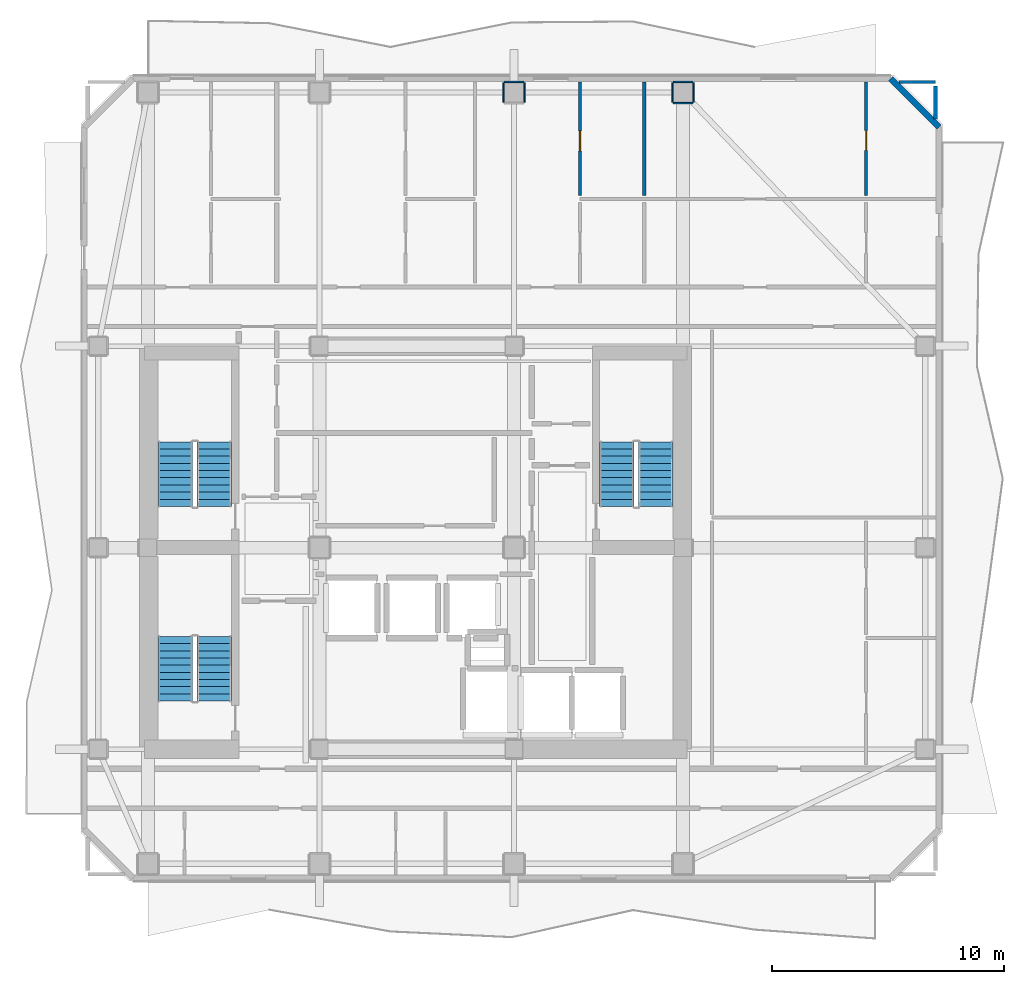
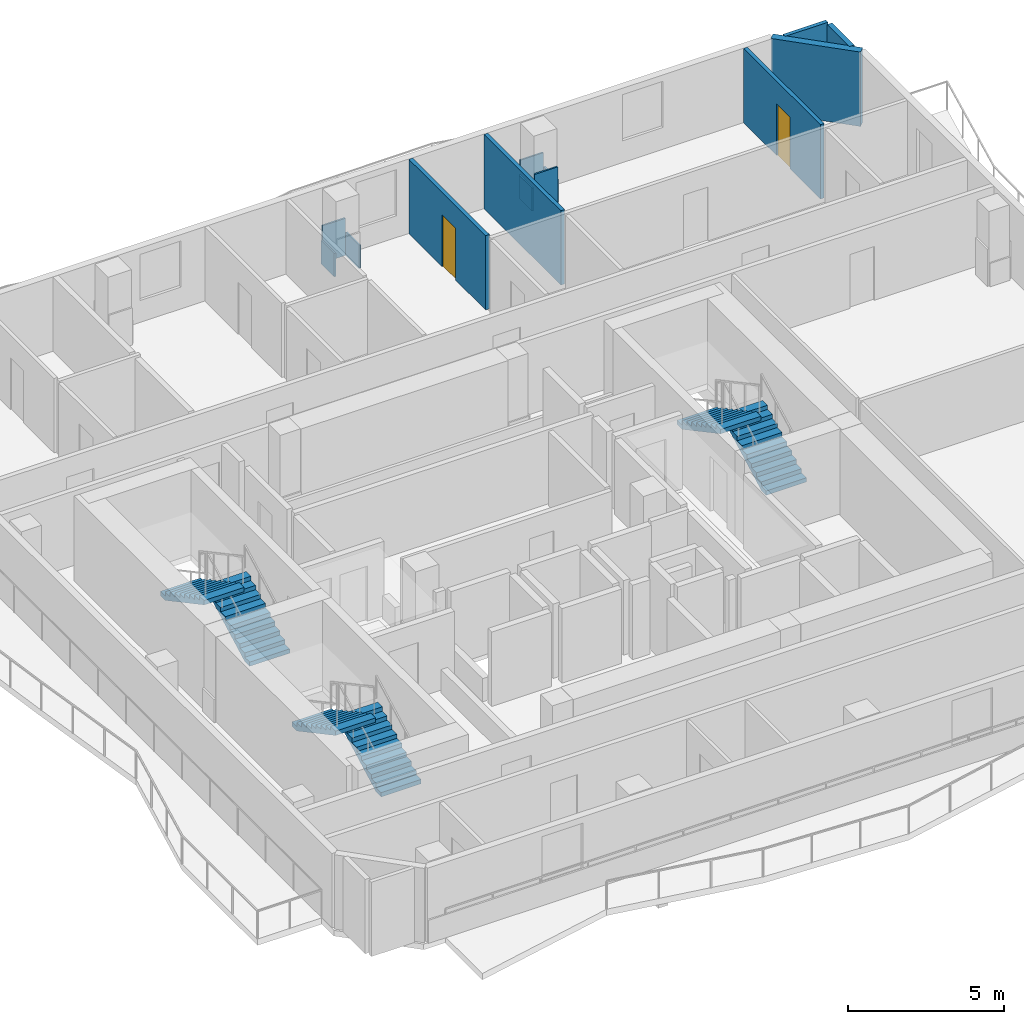
# One storey, part 6 of 9: 13 walls, 6 stair flights, 2 doors, 2 openings, 3 elements without a shape of their own.
"""IFC4 building model written with IfcOpenShell, lengths in metres."""

from ifc_helpers import new_model, si_unit, direction, frame, frame_2d, origin, place, context, subcontext, project, spatial, polyline, rectangle, outline, extrude, material, layer, layer_set, type_object, element, fill, aggregate, save


model = new_model("IFC4")

# Units and contexts
model_context = context("Model", 3, precision=1e-05, world=origin(), true_north=direction((0.0, 1.0)))
body_context = subcontext(model_context, "Body", "Model", "MODEL_VIEW")
ifc_project = project(units=[si_unit("LENGTHUNIT", "METRE"), si_unit("AREAUNIT", "SQUARE_METRE"), si_unit("VOLUMEUNIT", "CUBIC_METRE"), si_unit("PLANEANGLEUNIT", "RADIAN"), si_unit("MASSUNIT", "GRAM", prefix="KILO")], contexts=[model_context])

# Site, building, storey
site_placement = place(None, origin())
site = spatial("IfcSite", under=ifc_project, at=site_placement, CompositionType="ELEMENT")
building_placement = place(site_placement, origin())
building = spatial("IfcBuilding", under=site, at=building_placement, Name="Solanera Arch Residences", CompositionType="ELEMENT")
storey_placement = place(building_placement, frame((0.0, 0.0, 247.8798828125)))
storey = spatial("IfcBuildingStorey", under=building, at=storey_placement, Name="L72", CompositionType="ELEMENT", Elevation=247.8798828125)

# Walls
ifc_material_1 = material(Name="Fire-Rated Gypsum Stud Partition", Category="gypsum")
ifc_layer_1 = layer(ifc_material_1, 0.06005859375)
ifc_layer_set_1 = layer_set([ifc_layer_1], Name="Fire-Rated Gypsum Stud Partition")
wall_type_1 = type_object("IfcWallType", Name="Column Acoustic Furring Wall 60", PredefinedType="PARTITIONING", material=ifc_layer_set_1)
wall_1_placement = place(storey_placement, frame((28.77490234375, 50.806884765625, 0.0), z_axis=(0.0, 0.0, 1.0), x_axis=(1.0, 0.0, 0.0)))
element("IfcWall", 1, at=wall_1_placement, inside=storey, type_object=wall_type_1, Name="L72 Column Furring 14N", PredefinedType="PARTITIONING", context=body_context, shape_type="SweptSolid", body=[
    extrude(rectangle(XDim=0.85009765625, YDim=0.06005859375, at=frame_2d((0.425048828125, 0.0))), origin(), (0.0, 0.0, 1.0), 1.4501953125),
])
for number, where, z_axis, x_axis, name in (
    (2, (28.742919921875, 49.925048828125, 0.0), (0.0, 0.0, 1.0), (0.0, 1.0, 0.0), "L72 Column Furring 14W"),
    (3, (29.656982421875, 49.925048828125, 0.0), (0.0, 0.0, 1.0), (0.0, 1.0, 0.0), "L72 Column Furring 14E"),
):
    element("IfcWall", number, at=place(storey_placement, frame(where, z_axis=z_axis, x_axis=x_axis)), inside=storey, type_object=wall_type_1, Name=name, PredefinedType="PARTITIONING", context=body_context, shape_type="SweptSolid", body=[
        extrude(rectangle(XDim=0.849853515625, YDim=0.06005859375, at=frame_2d((0.4248046875, 0.0))), origin(), (0.0, 0.0, 1.0), 0.905029296875),
    ])
for number, where, z_axis, x_axis, name in (
    (4, (36.074951171875, 49.89306640625, 0.0), (0.0, 0.0, 1.0), (1.0, 0.0, 0.0), "L72 Column Furring 16S"),
    (5, (36.074951171875, 50.806884765625, 0.0), (0.0, 0.0, 1.0), (1.0, 0.0, 0.0), "L72 Column Furring 16N"),
):
    element("IfcWall", number, at=place(storey_placement, frame(where, z_axis=z_axis, x_axis=x_axis)), inside=storey, type_object=wall_type_1, Name=name, PredefinedType="PARTITIONING", context=body_context, shape_type="SweptSolid", body=[
        extrude(rectangle(XDim=0.85009765625, YDim=0.06005859375, at=frame_2d((0.425048828125, 0.0))), origin(), (0.0, 0.0, 1.0), 1.4501953125),
    ])
for number, where, z_axis, x_axis, name in (
    (6, (36.04296875, 49.925048828125, 0.0), (0.0, 0.0, 1.0), (0.0, 1.0, 0.0), "L72 Column Furring 16W"),
    (7, (36.95703125, 49.925048828125, 0.0), (0.0, 0.0, 1.0), (0.0, 1.0, 0.0), "L72 Column Furring 16E"),
):
    element("IfcWall", number, at=place(storey_placement, frame(where, z_axis=z_axis, x_axis=x_axis)), inside=storey, type_object=wall_type_1, Name=name, PredefinedType="PARTITIONING", context=body_context, shape_type="SweptSolid", body=[
        extrude(rectangle(XDim=0.849853515625, YDim=0.06005859375, at=frame_2d((0.4248046875, 0.0))), origin(), (0.0, 0.0, 1.0), 0.905029296875),
    ])
ifc_material_2 = material(Name="Autoclaved Aerated Concrete Blockwork", Category="masonry")
ifc_layer_2 = layer(ifc_material_2, 0.179931640625)
ifc_layer_set_2 = layer_set([ifc_layer_2], Name="Autoclaved Aerated Concrete Blockwork")
wall_type_2 = type_object("IfcWallType", Name="Corridor Fire Partition 180", PredefinedType="PARTITIONING", material=ifc_layer_set_2)
wall_2_placement = place(storey_placement, frame((47.39990234375, 49.2109375, 0.0), z_axis=(0.0, 0.0, 1.0), x_axis=(0.0, 1.0, 0.0)))
element("IfcWall", 8, at=wall_2_placement, inside=storey, type_object=wall_type_2, Name="L72 Interior Partition V11 2", PredefinedType="PARTITIONING", context=body_context, shape_type="SweptSolid", body=[
    extrude(rectangle(XDim=1.421142578125, YDim=0.179931640625, at=frame_2d((0.71044921875, 0.0))), origin(), (0.0, 0.0, 1.0), 2.900146484375),
])
ifc_material_3 = material(Name="Precast Concrete C35/45", Category="concrete")
ifc_layer_3 = layer(ifc_material_3, 0.260009765625)
ifc_layer_set_3 = layer_set([ifc_layer_3], Name="Precast Concrete C35/45")
wall_type_3 = type_object("IfcWallType", Name="Exterior Wall Precast Masonry-Frame 260", PredefinedType="STANDARD", material=ifc_layer_set_3)
wall_3_placement = place(storey_placement, frame((45.455078125, 50.955078125, 0.0), z_axis=(0.0, 0.0, 1.0), x_axis=(0.707065676302, -0.707147883682, 0.0)))
element("IfcWall", 9, at=wall_3_placement, inside=storey, type_object=wall_type_3, Name="L72 Tower Exterior Precast Masonry-Frame Wall CH3", PredefinedType="STANDARD", context=body_context, shape_type="SweptSolid", body=[
    extrude(rectangle(XDim=2.9697265625, YDim=0.260009765625, at=frame_2d((1.48486328125, 0.0))), origin(), (0.0, 0.0, 1.0), 2.900146484375),
])
ifc_material_4 = material(Name="Autoclaved Aerated Concrete Blockwork", Category="masonry")
ifc_layer_4 = layer(ifc_material_4, 0.139892578125)
ifc_layer_set_4 = layer_set([ifc_layer_4], Name="Autoclaved Aerated Concrete Blockwork")
wall_type_4 = type_object("IfcWallType", Name="Wet-Room Partition 140", PredefinedType="PARTITIONING", material=ifc_layer_set_4)
wall_4_placement = place(storey_placement, frame((45.81103515625, 50.800048828125, 0.0), z_axis=(0.0, 0.0, 1.0), x_axis=(1.0, 0.0, 0.0)))
element("IfcWall", 10, at=wall_4_placement, inside=storey, type_object=wall_type_4, Name="L72 Interior Partition H19 2", PredefinedType="PARTITIONING", context=body_context, shape_type="SweptSolid", body=[
    extrude(rectangle(XDim=1.5888671875, YDim=0.139892578125, at=frame_2d((0.79443359375, 0.0))), origin(), (0.0, 0.0, 1.0), 2.900146484375),
])

# Wall, opening, door
wall_5_placement = place(storey_placement, frame((32.0458984375, 45.904052734375, 0.0), z_axis=(0.0, 0.0, 1.0), x_axis=(0.0, 1.0, 0.0)))
wall_5 = element("IfcWall", 11, at=wall_5_placement, inside=storey, type_object=wall_type_4, Name="L72 Interior Partition V16 2", PredefinedType="PARTITIONING", context=body_context, shape_type="SweptSolid", body=[
    extrude(rectangle(XDim=4.908935546875, YDim=0.139892578125, at=frame_2d((2.45458984375, 0.0))), origin(), (0.0, 0.0, 1.0), 2.900146484375),
])
opening_1_placement = place(wall_5_placement, frame((1.930908203125, 0.0, 0.0)))
opening_1 = element("IfcOpeningElement", 12, at=opening_1_placement, cuts=wall_5, Name="Opening DI-05", PredefinedType="OPENING", context=body_context, shape_type="SweptSolid", body=[
    extrude(rectangle(XDim=0.860107421875, YDim=2.02001953125, at=frame_2d((0.43017578125, 1.010009765625))), frame((0.0, 0.079833984375, 0.0), z_axis=(0.0, -1.0, 0.0), x_axis=(1.0, 0.0, 0.0)), (0.0, 0.0, 1.0), 0.1599),
])
ifc_material_5 = material(Name="Fire-Rated Architectural Hardwood", Category="wood")
door_type = type_object("IfcDoorType", Name="Bathroom Swing Door DI-05", OperationType="NOTDEFINED", PredefinedType="DOOR", material=ifc_material_5)
door_1_placement = place(opening_1_placement, origin())
door_1 = element("IfcDoor", 13, at=door_1_placement, inside=storey, type_object=door_type, Name="DR-L72-IN-026", OperationType="SINGLE_SWING_RIGHT", OverallHeight=2.02001953125, OverallWidth=0.860107421875, PredefinedType="DOOR", context=body_context, shape_type="SweptSolid", body=[
    extrude(rectangle(XDim=0.860107421875, YDim=2.02001953125, at=frame_2d((0.43017578125, 1.010009765625))), frame((0.0, 0.02490234375, 0.0), z_axis=(0.0, -1.0, 0.0), x_axis=(1.0, 0.0, 0.0)), (0.0, 0.0, 1.0), 0.050048828125),
])
fill(opening_1, door_1)

# Wall
wall_6_placement = place(storey_placement, frame((34.820068359375, 45.904052734375, 0.0), z_axis=(0.0, 0.0, 1.0), x_axis=(0.0, 1.0, 0.0)))
element("IfcWall", 14, at=wall_6_placement, inside=storey, type_object=wall_type_4, Name="L72 Interior Partition V17 2", PredefinedType="PARTITIONING", context=body_context, shape_type="SweptSolid", body=[
    extrude(rectangle(XDim=4.908935546875, YDim=0.139892578125, at=frame_2d((2.45458984375, 0.0))), origin(), (0.0, 0.0, 1.0), 2.900146484375),
])

# Wall, opening, door
wall_7_placement = place(storey_placement, frame((44.39990234375, 45.904052734375, 0.0), z_axis=(0.0, 0.0, 1.0), x_axis=(0.0, 1.0, 0.0)))
wall_7 = element("IfcWall", 15, at=wall_7_placement, inside=storey, type_object=wall_type_4, Name="L72 Interior Partition V19 2", PredefinedType="PARTITIONING", context=body_context, shape_type="SweptSolid", body=[
    extrude(rectangle(XDim=4.908935546875, YDim=0.139892578125, at=frame_2d((2.45458984375, 0.0))), origin(), (0.0, 0.0, 1.0), 2.900146484375),
])
opening_2_placement = place(wall_7_placement, frame((1.944091796875, 0.0, 0.0)))
opening_2 = element("IfcOpeningElement", 16, at=opening_2_placement, cuts=wall_7, Name="Opening DI-05", PredefinedType="OPENING", context=body_context, shape_type="SweptSolid", body=[
    extrude(rectangle(XDim=0.860107421875, YDim=2.02001953125, at=frame_2d((0.43017578125, 1.010009765625))), frame((0.0, 0.079833984375, 0.0), z_axis=(0.0, -1.0, 0.0), x_axis=(1.0, 0.0, 0.0)), (0.0, 0.0, 1.0), 0.1599),
])
door_2_placement = place(opening_2_placement, origin())
door_2 = element("IfcDoor", 17, at=door_2_placement, inside=storey, type_object=door_type, Name="DR-L72-IN-030", OperationType="SINGLE_SWING_RIGHT", OverallHeight=2.02001953125, OverallWidth=0.860107421875, PredefinedType="DOOR", context=body_context, shape_type="SweptSolid", body=[
    extrude(rectangle(XDim=0.860107421875, YDim=2.02001953125, at=frame_2d((0.43017578125, 1.010009765625))), frame((0.0, 0.02490234375, 0.0), z_axis=(0.0, -1.0, 0.0), x_axis=(1.0, 0.0, 0.0)), (0.0, 0.0, 1.0), 0.050048828125),
])
fill(opening_2, door_2)

# Stair, stair flights
ifc_material_6 = material(Name="Concrete C40/50 (f'c = 45 MPa)", Category="concrete")
stair_type = type_object("IfcStairType", Name="Tower Dogleg Exit Stair 1480", PredefinedType="HALF_TURN_STAIR", material=ifc_material_6)
stair_1_placement = place(storey_placement, origin())
stair_1 = element("IfcStair", 18, at=stair_1_placement, inside=storey, type_object=stair_type, Name="L72 Tower Core Exit Stair 1", PredefinedType="HALF_TURN_STAIR")
ifc_material_7 = material(Name="Concrete C40/50 (f'c = 45 MPa)", Category="concrete")
stair_flight_type = type_object("IfcStairFlightType", Name="Tower Precast Stair Flight 1480", PredefinedType="STRAIGHT", material=ifc_material_7)
stair_flight_1_placement = place(storey_placement, frame((16.260009765625, 32.47998046875, 0.0), z_axis=(0.0, 0.0, 1.0), x_axis=(0.0, 1.0, 0.0)))
stair_flight_1 = element("IfcStairFlight", 19, at=stair_flight_1_placement, type_object=stair_flight_type, Name="ST-T1 flight 1", NumberOfRisers=10, NumberOfTreads=9, PredefinedType="STRAIGHT", RiserHeight=0.166, TreadLength=0.31, context=body_context, shape_type="SweptSolid", body=[
    extrude(outline(polyline([(0.0, 0.0), (0.0, 0.166015625), (0.31005859375, 0.166015625), (0.31005859375, 0.33203125), (0.6201171875, 0.33203125), (0.6201171875, 0.498046875), (0.929931640625, 0.498046875), (0.929931640625, 0.6640625), (1.239990234375, 0.6640625), (1.239990234375, 0.830078125), (1.550048828125, 0.830078125), (1.550048828125, 0.99609375), (1.860107421875, 0.99609375), (1.860107421875, 1.162109375), (2.169921875, 1.162109375), (2.169921875, 1.327880859375), (2.47998046875, 1.327880859375), (2.47998046875, 1.493896484375), (2.7900390625, 1.493896484375), (2.7900390625, 1.659912109375), (2.7900390625, 1.323974609375), (0.317626953125, 0.0), (0.0, 0.0)])), frame((0.0, 0.739990234375, 0.0), z_axis=(0.0, -1.0, 0.0), x_axis=(1.0, 0.0, 0.0)), (0.0, 0.0, 1.0), 1.47998046875),
])
stair_flight_2_placement = place(storey_placement, frame((14.580078125, 35.27001953125, 1.66015625), z_axis=(0.0, 0.0, 1.0), x_axis=(0.0, -1.0, 0.0)))
stair_flight_2 = element("IfcStairFlight", 20, at=stair_flight_2_placement, type_object=stair_flight_type, Name="ST-T1 flight 2", NumberOfRisers=10, NumberOfTreads=9, PredefinedType="STRAIGHT", RiserHeight=0.166, TreadLength=0.31, context=body_context, shape_type="SweptSolid", body=[
    extrude(outline(polyline([(0.0, 0.0), (0.0, 0.166015625), (0.31005859375, 0.166015625), (0.31005859375, 0.33203125), (0.6201171875, 0.33203125), (0.6201171875, 0.498046875), (0.929931640625, 0.498046875), (0.929931640625, 0.6640625), (1.239990234375, 0.6640625), (1.239990234375, 0.830078125), (1.550048828125, 0.830078125), (1.550048828125, 0.99609375), (1.860107421875, 0.99609375), (1.860107421875, 1.162109375), (2.169921875, 1.162109375), (2.169921875, 1.327880859375), (2.47998046875, 1.327880859375), (2.47998046875, 1.493896484375), (2.7900390625, 1.493896484375), (2.7900390625, 1.659912109375), (2.7900390625, 1.323974609375), (0.317626953125, 0.0), (0.0, 0.0)])), frame((0.0, 0.739990234375, 0.0), z_axis=(0.0, -1.0, 0.0), x_axis=(1.0, 0.0, 0.0)), (0.0, 0.0, 1.0), 1.47998046875),
])
aggregate(stair_1, [stair_flight_1, stair_flight_2])

stair_2_placement = place(storey_placement, origin())
stair_2 = element("IfcStair", 21, at=stair_2_placement, inside=storey, type_object=stair_type, Name="L72 Tower Core Exit Stair 2", PredefinedType="HALF_TURN_STAIR")
stair_flight_3_placement = place(storey_placement, frame((35.320068359375, 32.47998046875, 0.0), z_axis=(0.0, 0.0, 1.0), x_axis=(0.0, 1.0, 0.0)))
stair_flight_3 = element("IfcStairFlight", 22, at=stair_flight_3_placement, type_object=stair_flight_type, Name="ST-T2 flight 1", NumberOfRisers=10, NumberOfTreads=9, PredefinedType="STRAIGHT", RiserHeight=0.166, TreadLength=0.31, context=body_context, shape_type="SweptSolid", body=[
    extrude(outline(polyline([(0.0, 0.0), (0.0, 0.166015625), (0.31005859375, 0.166015625), (0.31005859375, 0.33203125), (0.6201171875, 0.33203125), (0.6201171875, 0.498046875), (0.929931640625, 0.498046875), (0.929931640625, 0.6640625), (1.239990234375, 0.6640625), (1.239990234375, 0.830078125), (1.550048828125, 0.830078125), (1.550048828125, 0.99609375), (1.860107421875, 0.99609375), (1.860107421875, 1.162109375), (2.169921875, 1.162109375), (2.169921875, 1.327880859375), (2.47998046875, 1.327880859375), (2.47998046875, 1.493896484375), (2.7900390625, 1.493896484375), (2.7900390625, 1.659912109375), (2.7900390625, 1.323974609375), (0.317626953125, 0.0), (0.0, 0.0)])), frame((0.0, 0.739990234375, 0.0), z_axis=(0.0, -1.0, 0.0), x_axis=(1.0, 0.0, 0.0)), (0.0, 0.0, 1.0), 1.47998046875),
])
stair_flight_4_placement = place(storey_placement, frame((33.639892578125, 35.27001953125, 1.66015625), z_axis=(0.0, 0.0, 1.0), x_axis=(0.0, -1.0, 0.0)))
stair_flight_4 = element("IfcStairFlight", 23, at=stair_flight_4_placement, type_object=stair_flight_type, Name="ST-T2 flight 2", NumberOfRisers=10, NumberOfTreads=9, PredefinedType="STRAIGHT", RiserHeight=0.166, TreadLength=0.31, context=body_context, shape_type="SweptSolid", body=[
    extrude(outline(polyline([(0.0, 0.0), (0.0, 0.166015625), (0.31005859375, 0.166015625), (0.31005859375, 0.33203125), (0.6201171875, 0.33203125), (0.6201171875, 0.498046875), (0.929931640625, 0.498046875), (0.929931640625, 0.6640625), (1.239990234375, 0.6640625), (1.239990234375, 0.830078125), (1.550048828125, 0.830078125), (1.550048828125, 0.99609375), (1.860107421875, 0.99609375), (1.860107421875, 1.162109375), (2.169921875, 1.162109375), (2.169921875, 1.327880859375), (2.47998046875, 1.327880859375), (2.47998046875, 1.493896484375), (2.7900390625, 1.493896484375), (2.7900390625, 1.659912109375), (2.7900390625, 1.323974609375), (0.317626953125, 0.0), (0.0, 0.0)])), frame((0.0, 0.739990234375, 0.0), z_axis=(0.0, -1.0, 0.0), x_axis=(1.0, 0.0, 0.0)), (0.0, 0.0, 1.0), 1.47998046875),
])
aggregate(stair_2, [stair_flight_3, stair_flight_4])

stair_3_placement = place(storey_placement, origin())
stair_3 = element("IfcStair", 24, at=stair_3_placement, inside=storey, type_object=stair_type, Name="L72 Tower Core Exit Stair 3", PredefinedType="HALF_TURN_STAIR")
stair_flight_5_placement = place(storey_placement, frame((16.260009765625, 24.080078125, 0.0), z_axis=(0.0, 0.0, 1.0), x_axis=(0.0, 1.0, 0.0)))
stair_flight_5 = element("IfcStairFlight", 25, at=stair_flight_5_placement, type_object=stair_flight_type, Name="ST-T3 flight 1", NumberOfRisers=10, NumberOfTreads=9, PredefinedType="STRAIGHT", RiserHeight=0.166, TreadLength=0.31, context=body_context, shape_type="SweptSolid", body=[
    extrude(outline(polyline([(0.0, 0.0), (0.0, 0.166015625), (0.31005859375, 0.166015625), (0.31005859375, 0.33203125), (0.6201171875, 0.33203125), (0.6201171875, 0.498046875), (0.929931640625, 0.498046875), (0.929931640625, 0.6640625), (1.239990234375, 0.6640625), (1.239990234375, 0.830078125), (1.550048828125, 0.830078125), (1.550048828125, 0.99609375), (1.860107421875, 0.99609375), (1.860107421875, 1.162109375), (2.169921875, 1.162109375), (2.169921875, 1.327880859375), (2.47998046875, 1.327880859375), (2.47998046875, 1.493896484375), (2.7900390625, 1.493896484375), (2.7900390625, 1.659912109375), (2.7900390625, 1.323974609375), (0.317626953125, 0.0), (0.0, 0.0)])), frame((0.0, 0.739990234375, 0.0), z_axis=(0.0, -1.0, 0.0), x_axis=(1.0, 0.0, 0.0)), (0.0, 0.0, 1.0), 1.47998046875),
])
stair_flight_6_placement = place(storey_placement, frame((14.580078125, 26.8701171875, 1.66015625), z_axis=(0.0, 0.0, 1.0), x_axis=(0.0, -1.0, 0.0)))
stair_flight_6 = element("IfcStairFlight", 26, at=stair_flight_6_placement, type_object=stair_flight_type, Name="ST-T3 flight 2", NumberOfRisers=10, NumberOfTreads=9, PredefinedType="STRAIGHT", RiserHeight=0.166, TreadLength=0.31, context=body_context, shape_type="SweptSolid", body=[
    extrude(outline(polyline([(0.0, 0.0), (0.0, 0.166015625), (0.31005859375, 0.166015625), (0.31005859375, 0.33203125), (0.6201171875, 0.33203125), (0.6201171875, 0.498046875), (0.929931640625, 0.498046875), (0.929931640625, 0.6640625), (1.239990234375, 0.6640625), (1.239990234375, 0.830078125), (1.550048828125, 0.830078125), (1.550048828125, 0.99609375), (1.860107421875, 0.99609375), (1.860107421875, 1.162109375), (2.169921875, 1.162109375), (2.169921875, 1.327880859375), (2.47998046875, 1.327880859375), (2.47998046875, 1.493896484375), (2.7900390625, 1.493896484375), (2.7900390625, 1.659912109375), (2.7900390625, 1.323974609375), (0.317626953125, 0.0), (0.0, 0.0)])), frame((0.0, 0.739990234375, 0.0), z_axis=(0.0, -1.0, 0.0), x_axis=(1.0, 0.0, 0.0)), (0.0, 0.0, 1.0), 1.47998046875),
])
aggregate(stair_3, [stair_flight_5, stair_flight_6])

save(model, "model.ifc")
